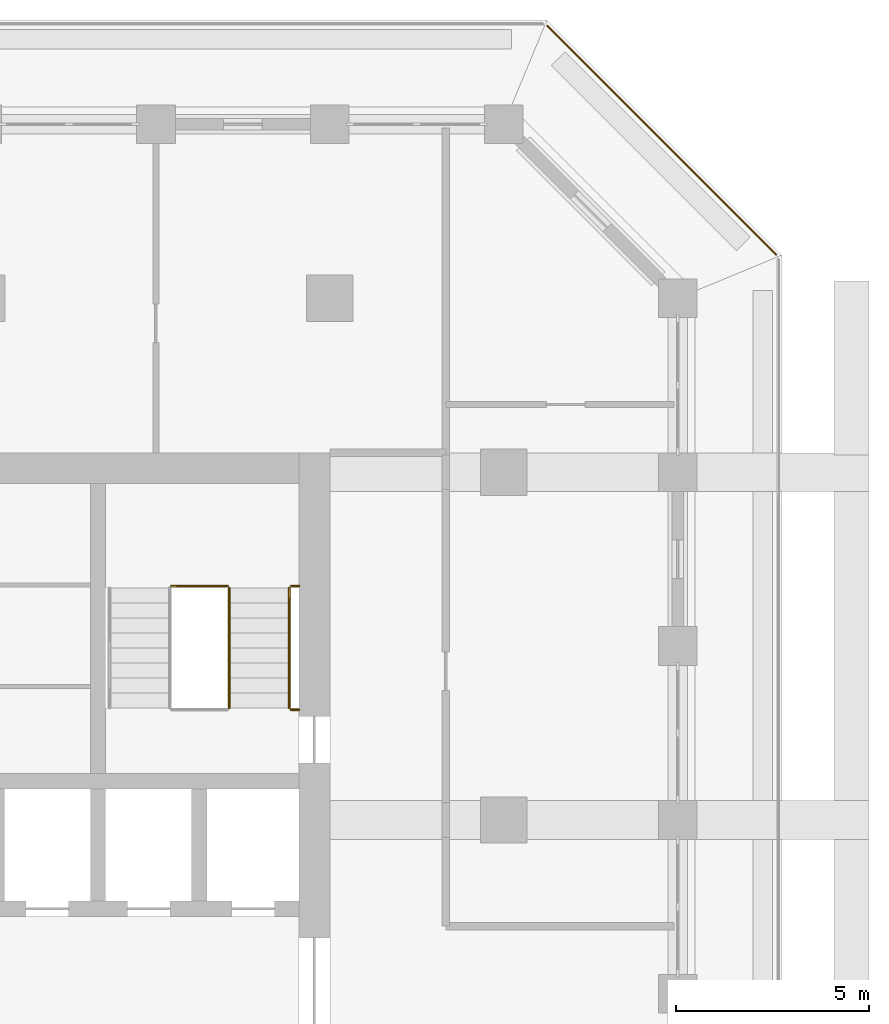
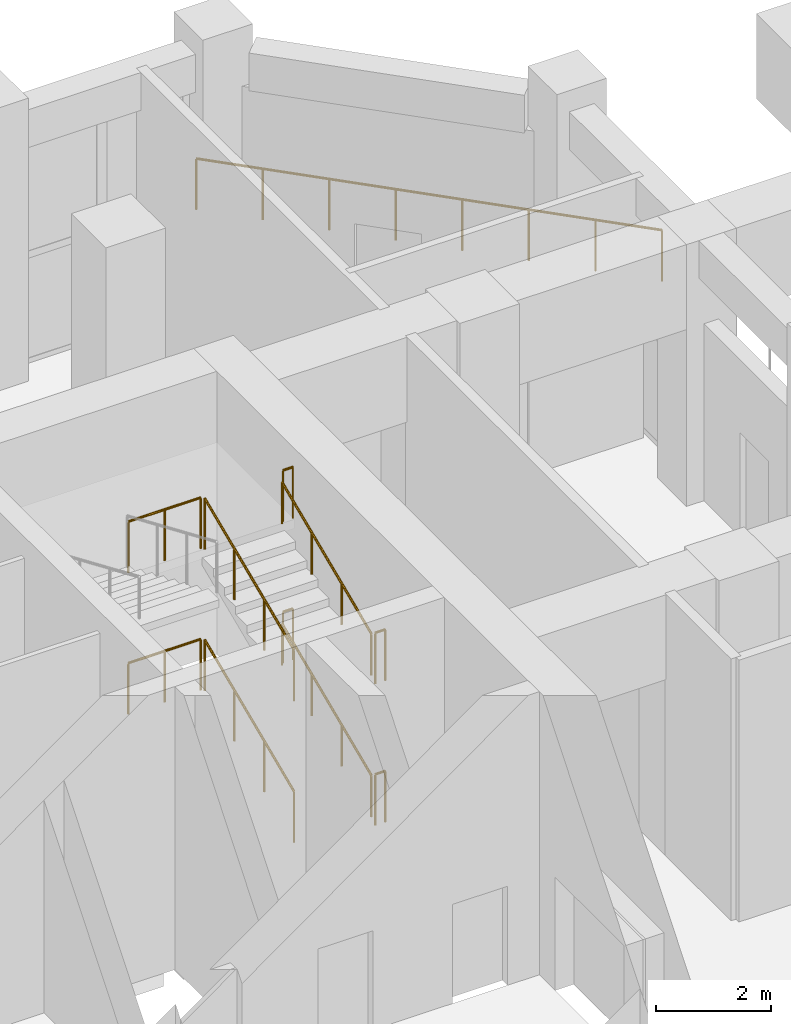
# One storey, part 24 of 25: 11 railings.
"""IFC4 building model written with IfcOpenShell, lengths in metres."""

from ifc_helpers import new_model, si_unit, direction, frame, origin, origin_2d, place, context, subcontext, project, spatial, circle, extrude, material, type_object, element, save


model = new_model("IFC4")

# Units and contexts
model_context = context("Model", 3, precision=1e-05, world=origin(), true_north=direction((0.0, 1.0)))
body_context = subcontext(model_context, "Body", "Model", "MODEL_VIEW")
ifc_project = project(units=[si_unit("LENGTHUNIT", "METRE"), si_unit("AREAUNIT", "SQUARE_METRE"), si_unit("VOLUMEUNIT", "CUBIC_METRE"), si_unit("PLANEANGLEUNIT", "RADIAN"), si_unit("MASSUNIT", "GRAM", prefix="KILO")], contexts=[model_context])

# Site, building, storey
site_placement = place(None, origin())
site = spatial("IfcSite", under=ifc_project, at=site_placement, CompositionType="ELEMENT")
building_placement = place(site_placement, origin())
building = spatial("IfcBuilding", under=site, at=building_placement, Name="Corbel Stack Research Tower", CompositionType="ELEMENT")
storey_placement = place(building_placement, frame((0.0, 0.0, 185.5)))
storey = spatial("IfcBuildingStorey", under=building, at=storey_placement, Name="L42", CompositionType="ELEMENT", Elevation=185.5)

# Railings
ifc_material_1 = material(Name="Steel S355", Category="steel")
railing_type_1 = type_object("IfcRailingType", Name="Stair guard 1100", PredefinedType="GUARDRAIL", material=ifc_material_1)
railing_1_placement = place(storey_placement, frame((15.39990234375, 11.89990234375, 0.166748046875)))
element("IfcRailing", 1, at=railing_1_placement, inside=storey, type_object=railing_type_1, Name="L42 ST-E2 stair guard 1", PredefinedType="GUARDRAIL", context=body_context, shape_type="SweptSolid", body=[
    extrude(circle(Radius=0.02392578125, at=origin_2d()), frame((0.0, 0.0, 1.076171875), z_axis=(0.0, 0.918826996994, 0.394660549834), x_axis=(-1.0, 0.0, 0.0)), (0.0, 0.0, 1.0), 3.378173828125),
    extrude(circle(Radius=0.02099609375, at=origin_2d()), origin(), (0.0, 0.0, 1.0), 1.052001953125),
    extrude(circle(Radius=0.02099609375, at=origin_2d()), frame((0.0, 1.03466796875, 0.4443359375)), (0.0, 0.0, 1.0), 1.052001953125),
    extrude(circle(Radius=0.02099609375, at=origin_2d()), frame((0.0, 2.0693359375, 0.888916015625)), (0.0, 0.0, 1.0), 1.052001953125),
    extrude(circle(Radius=0.02099609375, at=origin_2d()), frame((0.0, 3.10400390625, 1.333251953125)), (0.0, 0.0, 1.0), 1.052001953125),
])
railing_2_placement = place(storey_placement, frame((15.35009765625, 15.053955078125, 1.5)))
element("IfcRailing", 2, at=railing_2_placement, inside=storey, type_object=railing_type_1, Name="L42 ST-E2 stair guard 2", PredefinedType="GUARDRAIL", context=body_context, shape_type="SweptSolid", body=[
    extrude(circle(Radius=0.02392578125, at=origin_2d()), frame((0.0, 0.0, 1.076171875), z_axis=(-1.0, 0.0, 0.0), x_axis=(0.0, -1.0, 0.0)), (0.0, 0.0, 1.0), 1.4501953125),
    extrude(circle(Radius=0.02099609375, at=origin_2d()), origin(), (0.0, 0.0, 1.0), 1.052001953125),
    extrude(circle(Radius=0.02099609375, at=origin_2d()), frame((-0.72509765625, 0.0, 0.0)), (0.0, 0.0, 1.0), 1.052001953125),
    extrude(circle(Radius=0.02099609375, at=origin_2d()), frame((-1.4501953125, 0.0, 0.0)), (0.0, 0.0, 1.0), 1.052001953125),
])
for number, where, name in (
    (3, (17.199951171875, 15.053955078125, 1.5), "L42 ST-E2 stair guard 3"),
    (4, (17.199951171875, 11.85009765625, 3.0), "L42 ST-E2 stair guard 6"),
):
    element("IfcRailing", number, at=place(storey_placement, frame(where)), inside=storey, type_object=railing_type_1, Name=name, PredefinedType="GUARDRAIL", context=body_context, shape_type="SweptSolid", body=[
        extrude(circle(Radius=0.02392578125, at=origin_2d()), frame((0.0, 0.0, 1.076171875), z_axis=(-1.0, 0.0, 0.0), x_axis=(0.0, -1.0, 0.0)), (0.0, 0.0, 1.0), 0.199951171875),
        extrude(circle(Radius=0.02099609375, at=origin_2d()), origin(), (0.0, 0.0, 1.0), 1.052001953125),
        extrude(circle(Radius=0.02099609375, at=origin_2d()), frame((-0.199951171875, 0.0, 0.0)), (0.0, 0.0, 1.0), 1.052001953125),
    ])
railing_3_placement = place(storey_placement, frame((15.39990234375, 11.89990234375, 3.166748046875)))
element("IfcRailing", 5, at=railing_3_placement, inside=storey, type_object=railing_type_1, Name="L42 ST-E2 stair guard 7", PredefinedType="GUARDRAIL", context=body_context, shape_type="SweptSolid", body=[
    extrude(circle(Radius=0.02392578125, at=origin_2d()), frame((0.0, 0.0, 1.076171875), z_axis=(0.0, 0.918826996994, 0.394660549834), x_axis=(-1.0, 0.0, 0.0)), (0.0, 0.0, 1.0), 3.378173828125),
    extrude(circle(Radius=0.02099609375, at=origin_2d()), origin(), (0.0, 0.0, 1.0), 1.052001953125),
    extrude(circle(Radius=0.02099609375, at=origin_2d()), frame((0.0, 1.03466796875, 0.4443359375)), (0.0, 0.0, 1.0), 1.052001953125),
    extrude(circle(Radius=0.02099609375, at=origin_2d()), frame((0.0, 2.0693359375, 0.888916015625)), (0.0, 0.0, 1.0), 1.052001953125),
    extrude(circle(Radius=0.02099609375, at=origin_2d()), frame((0.0, 3.10400390625, 1.333251953125)), (0.0, 0.0, 1.0), 1.052001953125),
])
railing_4_placement = place(storey_placement, frame((15.35009765625, 15.053955078125, 4.5)))
element("IfcRailing", 6, at=railing_4_placement, inside=storey, type_object=railing_type_1, Name="L42 ST-E2 stair guard 8", PredefinedType="GUARDRAIL", context=body_context, shape_type="SweptSolid", body=[
    extrude(circle(Radius=0.02392578125, at=origin_2d()), frame((0.0, 0.0, 1.076171875), z_axis=(-1.0, 0.0, 0.0), x_axis=(0.0, -1.0, 0.0)), (0.0, 0.0, 1.0), 1.4501953125),
    extrude(circle(Radius=0.02099609375, at=origin_2d()), origin(), (0.0, 0.0, 1.0), 1.052001953125),
    extrude(circle(Radius=0.02099609375, at=origin_2d()), frame((-0.72509765625, 0.0, 0.0)), (0.0, 0.0, 1.0), 1.052001953125),
    extrude(circle(Radius=0.02099609375, at=origin_2d()), frame((-1.4501953125, 0.0, 0.0)), (0.0, 0.0, 1.0), 1.052001953125),
])
for number, where, name in (
    (7, (17.199951171875, 15.053955078125, 4.5), "L42 ST-E2 stair guard 9"),
    (8, (17.199951171875, 11.85009765625, 0.0), "L42 ST-E2 stair guard 12"),
):
    element("IfcRailing", number, at=place(storey_placement, frame(where)), inside=storey, type_object=railing_type_1, Name=name, PredefinedType="GUARDRAIL", context=body_context, shape_type="SweptSolid", body=[
        extrude(circle(Radius=0.02392578125, at=origin_2d()), frame((0.0, 0.0, 1.076171875), z_axis=(-1.0, 0.0, 0.0), x_axis=(0.0, -1.0, 0.0)), (0.0, 0.0, 1.0), 0.199951171875),
        extrude(circle(Radius=0.02099609375, at=origin_2d()), origin(), (0.0, 0.0, 1.0), 1.052001953125),
        extrude(circle(Radius=0.02099609375, at=origin_2d()), frame((-0.199951171875, 0.0, 0.0)), (0.0, 0.0, 1.0), 1.052001953125),
    ])
ifc_material_2 = material(Name="Steel S355", Category="steel")
railing_type_2 = type_object("IfcRailingType", Name="Stair handrail 900", PredefinedType="HANDRAIL", material=ifc_material_2)
for number, where, name in (
    (9, (16.949951171875, 11.89990234375, 0.166748046875), "L42 ST-E2 stair handrail 1"),
    (10, (16.949951171875, 11.89990234375, 3.166748046875), "L42 ST-E2 stair handrail 3"),
):
    element("IfcRailing", number, at=place(storey_placement, frame(where)), inside=storey, type_object=railing_type_2, Name=name, PredefinedType="HANDRAIL", context=body_context, shape_type="SweptSolid", body=[
        extrude(circle(Radius=0.02392578125, at=origin_2d()), frame((0.0, 0.0, 0.8759765625), z_axis=(0.0, 0.918826996994, 0.394660549834), x_axis=(-1.0, 0.0, 0.0)), (0.0, 0.0, 1.0), 3.378173828125),
        extrude(circle(Radius=0.02099609375, at=origin_2d()), origin(), (0.0, 0.0, 1.0), 0.851806640625),
        extrude(circle(Radius=0.02099609375, at=origin_2d()), frame((0.0, 1.03466796875, 0.4443359375)), (0.0, 0.0, 1.0), 0.851806640625),
        extrude(circle(Radius=0.02099609375, at=origin_2d()), frame((0.0, 2.0693359375, 0.888916015625)), (0.0, 0.0, 1.0), 0.851806640625),
        extrude(circle(Radius=0.02099609375, at=origin_2d()), frame((0.0, 3.10400390625, 1.333251953125)), (0.0, 0.0, 1.0), 0.851806640625),
    ])
ifc_material_3 = material(Name="Powder-coated steel guard", Category="steel")
railing_type_3 = type_object("IfcRailingType", Name="Steel and glass guard 1100", PredefinedType="GUARDRAIL", material=ifc_material_3)
railing_5_placement = place(storey_placement, frame((29.54931640625, 23.627685546875, 0.0)))
element("IfcRailing", 11, at=railing_5_placement, inside=storey, type_object=railing_type_3, Name="Loggia guard L42 NE", PredefinedType="GUARDRAIL", context=body_context, shape_type="SweptSolid", body=[
    extrude(circle(Radius=0.02392578125, at=origin_2d()), frame((0.0, 0.0, 1.076171875), z_axis=(-0.707106781187, 0.707106781187, 0.0), x_axis=(-0.707106781187, -0.707106781187, 0.0)), (0.0, 0.0, 1.0), 8.37451171875),
    extrude(circle(Radius=0.02099609375, at=origin_2d()), origin(), (0.0, 0.0, 1.0), 1.052001953125),
    extrude(circle(Radius=0.02099609375, at=origin_2d()), frame((-0.845947265625, 0.845947265625, 0.0)), (0.0, 0.0, 1.0), 1.052001953125),
    extrude(circle(Radius=0.02099609375, at=origin_2d()), frame((-1.69189453125, 1.69189453125, 0.0)), (0.0, 0.0, 1.0), 1.052001953125),
    extrude(circle(Radius=0.02099609375, at=origin_2d()), frame((-2.537841796875, 2.537841796875, 0.0)), (0.0, 0.0, 1.0), 1.052001953125),
    extrude(circle(Radius=0.02099609375, at=origin_2d()), frame((-3.3837890625, 3.3837890625, 0.0)), (0.0, 0.0, 1.0), 1.052001953125),
    extrude(circle(Radius=0.02099609375, at=origin_2d()), frame((-4.229736328125, 4.229736328125, 0.0)), (0.0, 0.0, 1.0), 1.052001953125),
    extrude(circle(Radius=0.02099609375, at=origin_2d()), frame((-5.07568359375, 5.07568359375, 0.0)), (0.0, 0.0, 1.0), 1.052001953125),
    extrude(circle(Radius=0.02099609375, at=origin_2d()), frame((-5.921630859375, 5.921630859375, 0.0)), (0.0, 0.0, 1.0), 1.052001953125),
])

save(model, "model.ifc")
